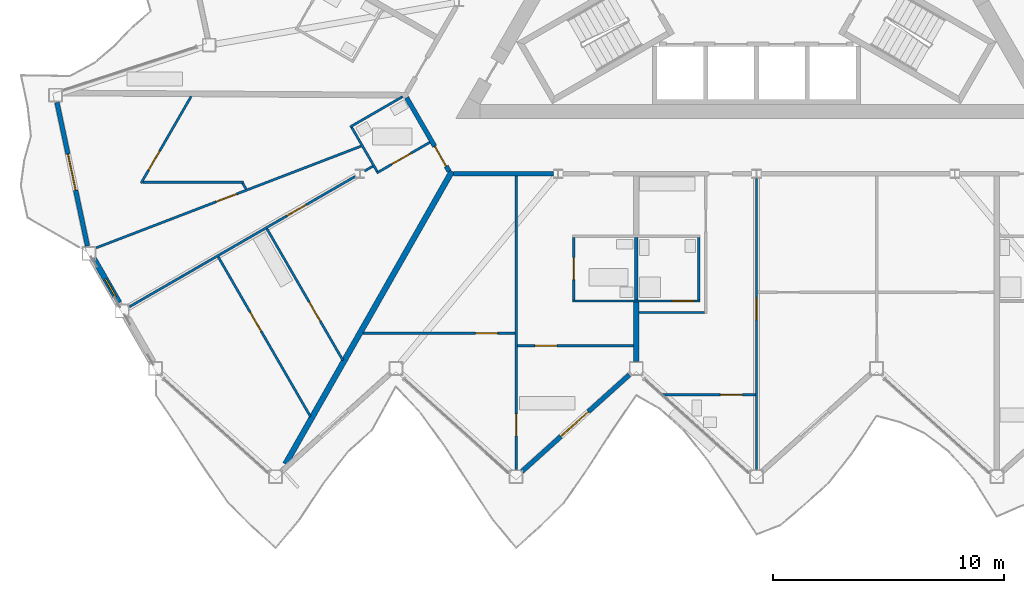
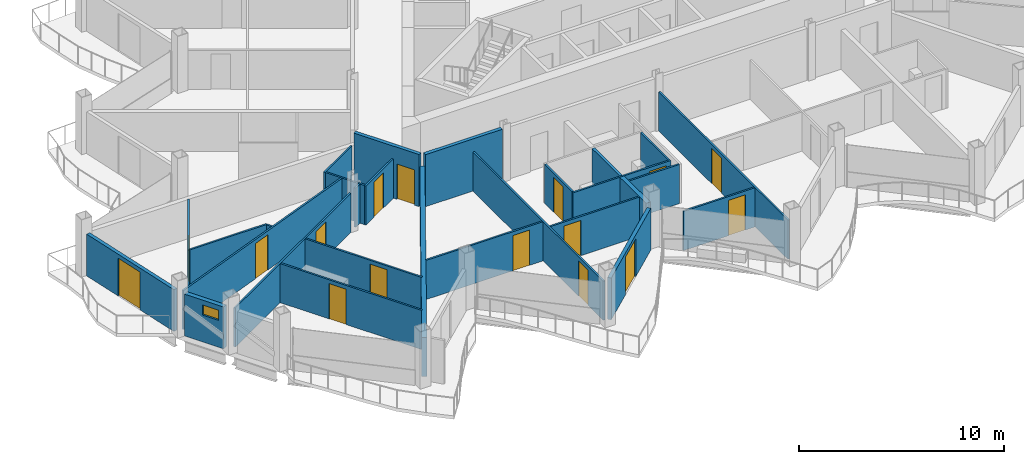
# One storey, part 12 of 26: 28 walls, 16 doors, 1 window, 17 openings.
"""IFC4 building model written with IfcOpenShell, lengths in metres."""

import ifcopenshell
import ifcopenshell.guid

model = None  # the IFC model being written
_history = None  # IfcOwnerHistory: only IFC2X3 demands one
_inside = {}  # id of a spatial element -> (the spatial element, [elements in it])
_under = {}  # id of a project, library or spatial element -> (it, [spatial elements below it])
_declared = {}  # id of a project -> (the project, [libraries it declares])
_typed = {}  # id of a type object -> (the type object, [elements of that type])
_made_of = {}  # id of a material, layer set ... -> (it, [elements and type objects made of it])


def new_model(schema):
    """Start an empty IFC model of exactly this schema.

    Asked for "IFC4X3", IfcOpenShell would pick the latest addendum, in which some entities
    have other attributes; the version numbers below select the first issue.
    IFC2X3 requires an IfcOwnerHistory on every rooted entity: one is made here for all.
    """
    global model, _history
    if schema == "IFC4X3":
        model = ifcopenshell.file(schema_version=(4, 3, 0, 0))
    else:
        model = ifcopenshell.file(schema=schema)
    _inside.clear()
    _under.clear()
    _declared.clear()
    _typed.clear()
    _made_of.clear()
    _history = None
    if model.schema == "IFC2X3":
        org = make("IfcOrganization", Name="unknown")
        user = make(
            "IfcPersonAndOrganization",
            ThePerson=make("IfcPerson", FamilyName="unknown"),
            TheOrganization=org,
        )
        app = make(
            "IfcApplication",
            ApplicationDeveloper=org,
            Version="unknown",
            ApplicationFullName="unknown",
            ApplicationIdentifier="unknown",
        )
        _history = make(
            "IfcOwnerHistory",
            OwningUser=user,
            OwningApplication=app,
            ChangeAction="ADDED",
            CreationDate=0,
        )
    return model


def make(cls, **values):
    """One entity of the class cls with the attributes given. An attribute that is None is left unset."""
    return model.create_entity(
        cls, **{name: value for name, value in values.items() if value is not None}
    )


def rooted(cls, **values):
    """An entity with a GlobalId (a new one), such as an element, a storey or a relation."""
    return make(cls, GlobalId=ifcopenshell.guid.new(), OwnerHistory=_history, **values)


def si_unit(unit_type, name, prefix=None):
    """IfcSIUnit, for example si_unit("LENGTHUNIT", "METRE", prefix="MILLI")."""
    return make("IfcSIUnit", UnitType=unit_type, Prefix=prefix, Name=name)


def assignment(units):
    """IfcUnitAssignment: the units of a project."""
    return None if units is None else make("IfcUnitAssignment", Units=units)


def point(xyz):
    """IfcCartesianPoint."""
    return None if xyz is None else make("IfcCartesianPoint", Coordinates=xyz)


def direction(xyz):
    """IfcDirection."""
    return None if xyz is None else make("IfcDirection", DirectionRatios=xyz)


def frame(location, z_axis=None, x_axis=None):
    """IfcAxis2Placement3D, a coordinate frame: its origin and axes. An axis left out is left unset."""
    return make(
        "IfcAxis2Placement3D",
        Location=point(location),
        Axis=direction(z_axis),
        RefDirection=direction(x_axis),
    )


def frame_2d(location, x_axis=None):
    """IfcAxis2Placement2D, a coordinate frame in the plane: its origin and x axis."""
    return make(
        "IfcAxis2Placement2D", Location=point(location), RefDirection=direction(x_axis)
    )


def origin():
    """The frame at (0, 0, 0) with its axes left unset."""
    return frame((0.0, 0.0, 0.0))


def place(relative_to, where):
    """IfcLocalPlacement: puts the frame where relative to a parent placement (None: the world)."""
    return make(
        "IfcLocalPlacement", PlacementRelTo=relative_to, RelativePlacement=where
    )


def context(
    kind, dimensions, precision=None, world=None, true_north=None, identifier=None
):
    """IfcGeometricRepresentationContext, for example the 3D "Model" context."""
    return make(
        "IfcGeometricRepresentationContext",
        ContextIdentifier=identifier,
        ContextType=kind,
        CoordinateSpaceDimension=dimensions,
        Precision=precision,
        WorldCoordinateSystem=world,
        TrueNorth=true_north,
    )


def subcontext(parent, identifier, kind, view, scale=None):
    """IfcGeometricRepresentationSubContext, for example "Body" below "Model"."""
    return make(
        "IfcGeometricRepresentationSubContext",
        ContextIdentifier=identifier,
        ContextType=kind,
        ParentContext=parent,
        TargetScale=scale,
        TargetView=view,
    )


def project(units=None, contexts=None):
    """IfcProject with its units and contexts."""
    return rooted(
        "IfcProject",
        Name="project",
        RepresentationContexts=contexts,
        UnitsInContext=assignment(units),
    )


def spatial(cls, under=None, at=None, **own):
    """A site, building, storey or space (cls), placed at a placement, below another one or the project."""
    s = rooted(cls, ObjectPlacement=at, **own)
    if under is not None:
        _under.setdefault(under.id(), (under, []))[1].append(s)
    return s


def profile(cls, at=None, kind="AREA", **sizes):
    """A parametric profile (cls). Its sizes go by their IFC names, for example OverallWidth=200.0."""
    return make(cls, ProfileType=kind, Position=at, **sizes)


def rectangle(**sizes):
    """IfcRectangleProfileDef."""
    return profile("IfcRectangleProfileDef", **sizes)


def extrude(swept, where, along, depth):
    """IfcExtrudedAreaSolid: the profile swept, set in the frame where, extruded along a direction by depth."""
    return make(
        "IfcExtrudedAreaSolid",
        SweptArea=swept,
        Position=where,
        ExtrudedDirection=direction(along),
        Depth=depth,
    )


def shape(context_of_items, identifier, shape_type, items):
    """IfcShapeRepresentation: the items that make up one representation, for example the "Body"."""
    return make(
        "IfcShapeRepresentation",
        ContextOfItems=context_of_items,
        RepresentationIdentifier=identifier,
        RepresentationType=shape_type,
        Items=items,
    )


def material(Name=None, Category=None):
    """IfcMaterial."""
    return make("IfcMaterial", Name=Name, Category=Category)


def layer(
    of_material, thickness, ventilated=None, Name=None, Category=None, Priority=None
):
    """IfcMaterialLayer: one layer of a wall or slab, of a material (None: an air gap)."""
    return make(
        "IfcMaterialLayer",
        Material=of_material,
        LayerThickness=thickness,
        IsVentilated=ventilated,
        Name=Name,
        Category=Category,
        Priority=Priority,
    )


def layer_set(layers, Name=None):
    """IfcMaterialLayerSet."""
    return make("IfcMaterialLayerSet", MaterialLayers=layers, LayerSetName=Name)


def made_of(thing, what):
    """Note that an element or type object is made of a material, layer set ...; save() writes the relation."""
    if what is not None:
        _made_of.setdefault(what.id(), (what, []))[1].append(thing)
    return thing


def type_object(cls, material=None, **own):
    """A type object (cls), such as IfcWallType, which elements share."""
    return made_of(rooted(cls, **own), material)


def element(
    cls,
    number,
    at=None,
    inside=None,
    cuts=None,
    type_object=None,
    material=None,
    context=None,
    identifier="Body",
    shape_type=None,
    held_by="IfcProductDefinitionShape",
    body=None,
    shapes=None,
    **own,
):
    """One element of the class cls, such as IfcWall. Its Tag is "e" and its number.

    at: its placement. inside: the storey or other place that contains it. cuts: it is an
    opening in that element (IfcRelVoidsElement). A single representation is given by context,
    identifier, shape_type and body (its items); several are given by shapes. held_by: the class
    of the entity that holds the representations. save() writes the other relations.
    """
    e = rooted(cls, Tag="e%d" % number, ObjectPlacement=at, **own)
    if body is not None:
        shapes = [shape(context, identifier, shape_type, body)]
    if shapes is not None:
        e.Representation = make(held_by, Representations=shapes)
    if inside is not None:
        _inside.setdefault(inside.id(), (inside, []))[1].append(e)
    if cuts is not None:
        rooted(
            "IfcRelVoidsElement", RelatingBuildingElement=cuts, RelatedOpeningElement=e
        )
    if type_object is not None:
        _typed.setdefault(type_object.id(), (type_object, []))[1].append(e)
    return made_of(e, material)


def fill(opening, filler):
    """IfcRelFillsElement: the door or window that sits in an opening."""
    return rooted(
        "IfcRelFillsElement",
        RelatingOpeningElement=opening,
        RelatedBuildingElement=filler,
    )


def aggregate(whole, parts):
    """IfcRelAggregates: a whole, such as a stair, and the parts it consists of."""
    return rooted("IfcRelAggregates", RelatingObject=whole, RelatedObjects=parts)


def save(model, path):
    """Write the relations noted so far, then the file.

    IfcRelAggregates (storeys below a building ...), IfcRelContainedInSpatialStructure (elements
    in a storey), IfcRelDefinesByType, IfcRelAssociatesMaterial and IfcRelDeclares: one each for
    every whole, place, type object, material and project.
    """
    for whole, parts in _under.values():
        aggregate(whole, parts)
    for where, things in _inside.values():
        rooted(
            "IfcRelContainedInSpatialStructure",
            RelatedElements=things,
            RelatingStructure=where,
        )
    for kind, things in _typed.values():
        rooted("IfcRelDefinesByType", RelatedObjects=things, RelatingType=kind)
    for what, things in _made_of.values():
        rooted("IfcRelAssociatesMaterial", RelatedObjects=things, RelatingMaterial=what)
    for by, libraries in _declared.values():
        rooted("IfcRelDeclares", RelatingContext=by, RelatedDefinitions=libraries)
    model.write(path)


model = new_model("IFC4")

# Units and contexts
model_context = context("Model", 3, precision=1e-05, world=origin(), true_north=direction((0.0, 1.0)))
body_context = subcontext(model_context, "Body", "Model", "MODEL_VIEW")
ifc_project = project(units=[si_unit("LENGTHUNIT", "METRE"), si_unit("AREAUNIT", "SQUARE_METRE"), si_unit("VOLUMEUNIT", "CUBIC_METRE"), si_unit("PLANEANGLEUNIT", "RADIAN"), si_unit("MASSUNIT", "GRAM", prefix="KILO")], contexts=[model_context])

# Site, building, storey
site_placement = place(None, origin())
site = spatial("IfcSite", under=ifc_project, at=site_placement, CompositionType="ELEMENT")
building_placement = place(site_placement, origin())
building = spatial("IfcBuilding", under=site, at=building_placement, Name="Cormorant Prow Tower", CompositionType="ELEMENT")
storey_placement = place(building_placement, frame((0.0, 0.0, 339.199951171875)))
storey = spatial("IfcBuildingStorey", under=building, at=storey_placement, Name="L76", CompositionType="ELEMENT", Elevation=339.199951171875)

# Wall
ifc_material_1 = material(Name="Gypsum board corridor wall")
ifc_layer_1 = layer(ifc_material_1, 0.199951171875)
ifc_layer_set_1 = layer_set([ifc_layer_1], Name="Gypsum board corridor wall")
wall_type_1 = type_object("IfcWallType", Name="Corridor wall 200", PredefinedType="PARTITIONING", material=ifc_layer_set_1)
wall_1_placement = place(storey_placement, frame((-13.10595703125, -9.905517578125, 0.0), z_axis=(0.0, 0.0, 1.0), x_axis=(1.0, 0.0, 0.0)))
element("IfcWall", 1, at=wall_1_placement, inside=storey, type_object=wall_type_1, Name="Corridor wall", PredefinedType="PARTITIONING", context=body_context, shape_type="SweptSolid", body=[
    extrude(rectangle(XDim=4.31982421875, YDim=0.199951171875, at=frame_2d((2.159912109375, 0.0))), origin(), (0.0, 0.0, 1.0), 3.10009765625),
])

# Wall, opening, door
wall_2_placement = place(storey_placement, frame((-15.13134765625, -6.61376953125, 0.0), z_axis=(0.0, 0.0, 1.0), x_axis=(0.499967746641, -0.866044024469, 0.0)))
wall_2 = element("IfcWall", 2, at=wall_2_placement, inside=storey, type_object=wall_type_1, Name="Corridor wall", PredefinedType="PARTITIONING", context=body_context, shape_type="SweptSolid", body=[
    extrude(rectangle(XDim=3.676025390625, YDim=0.199951171875, at=frame_2d((1.837890625, 0.0))), origin(), (0.0, 0.0, 1.0), 3.10009765625),
])
opening_1_placement = place(wall_2_placement, frame((2.426025390625, 0.0, 0.0)))
opening_1 = element("IfcOpeningElement", 3, at=opening_1_placement, cuts=wall_2, Name="Opening L76-F54", PredefinedType="OPENING", context=body_context, shape_type="SweptSolid", body=[
    extrude(rectangle(XDim=1.0, YDim=2.10009765625, at=frame_2d((0.5, 1.050048828125))), frame((0.0, 0.10986328125, 0.0), z_axis=(0.0, -1.0, 0.0), x_axis=(1.0, 0.0, 0.0)), (0.0, 0.0, 1.0), 0.219970703125),
])
ifc_material_2 = material(Name="Timber door leaf", Category="wood")
door_type_1 = type_object("IfcDoorType", Name="Flat or room entrance door 1000x2100", OperationType="NOTDEFINED", PredefinedType="DOOR", material=ifc_material_2)
door_1_placement = place(opening_1_placement, origin())
door_1 = element("IfcDoor", 4, at=door_1_placement, inside=storey, type_object=door_type_1, Name="Living room door", OperationType="SINGLE_SWING_RIGHT", OverallHeight=2.10009765625, OverallWidth=1.0, PredefinedType="DOOR", context=body_context, shape_type="SweptSolid", body=[
    extrude(rectangle(XDim=1.0, YDim=2.10009765625, at=frame_2d((0.5, 1.050048828125))), frame((0.0, 0.02490234375, 0.0), z_axis=(0.0, -1.0, 0.0), x_axis=(1.0, 0.0, 0.0)), (0.0, 0.0, 1.0), 0.050048828125),
])
fill(opening_1, door_1)

ifc_material_3 = material(Name="Gypsum board partition")
ifc_layer_2 = layer(ifc_material_3, 0.10009765625)
ifc_layer_set_2 = layer_set([ifc_layer_2], Name="Gypsum board partition")
wall_type_2 = type_object("IfcWallType", Name="Internal partition 100", PredefinedType="PARTITIONING", material=ifc_layer_set_2)
wall_3_placement = place(storey_placement, frame((-10.39501953125, -22.697998046875, 0.0), z_axis=(0.0, 0.0, 1.0), x_axis=(0.0, 1.0, 0.0)))
wall_3 = element("IfcWall", 5, at=wall_3_placement, inside=storey, type_object=wall_type_2, Name="Internal partition", PredefinedType="PARTITIONING", context=body_context, shape_type="SweptSolid", body=[
    extrude(rectangle(XDim=12.6923828125, YDim=0.10009765625, at=frame_2d((6.34619140625, 0.0))), origin(), (0.0, 0.0, 1.0), 2.330078125),
])
opening_2_placement = place(wall_3_placement, frame((1.45458984375, 0.0, 0.0)))
opening_2 = element("IfcOpeningElement", 6, at=opening_2_placement, cuts=wall_3, Name="Opening L76-F04", PredefinedType="OPENING", context=body_context, shape_type="SweptSolid", body=[
    extrude(rectangle(XDim=0.949951171875, YDim=2.10009765625, at=frame_2d((0.47509765625, 1.050048828125))), frame((0.0, 0.06005859375, 0.0), z_axis=(0.0, -1.0, 0.0), x_axis=(1.0, 0.0, 0.0)), (0.0, 0.0, 1.0), 0.1201171875),
])
ifc_material_4 = material(Name="Timber door leaf", Category="wood")
door_type_2 = type_object("IfcDoorType", Name="Bathroom door 950x2100", OperationType="NOTDEFINED", PredefinedType="DOOR", material=ifc_material_4)
door_2_placement = place(opening_2_placement, origin())
door_2 = element("IfcDoor", 7, at=door_2_placement, inside=storey, type_object=door_type_2, Name="Kitchen door", OperationType="SINGLE_SWING_RIGHT", OverallHeight=2.10009765625, OverallWidth=0.949951171875, PredefinedType="DOOR", context=body_context, shape_type="SweptSolid", body=[
    extrude(rectangle(XDim=0.949951171875, YDim=2.10009765625, at=frame_2d((0.47509765625, 1.050048828125))), frame((0.0, 0.02490234375, 0.0), z_axis=(0.0, -1.0, 0.0), x_axis=(1.0, 0.0, 0.0)), (0.0, 0.0, 1.0), 0.050048828125),
])
fill(opening_2, door_2)

wall_4_placement = place(storey_placement, frame((0.0, -22.697998046875, 0.0), z_axis=(0.0, 0.0, 1.0), x_axis=(0.0, 1.0, 0.0)))
wall_4 = element("IfcWall", 8, at=wall_4_placement, inside=storey, type_object=wall_type_2, Name="Internal partition", PredefinedType="PARTITIONING", context=body_context, shape_type="SweptSolid", body=[
    extrude(rectangle(XDim=12.584716796875, YDim=0.10009765625, at=frame_2d((6.29248046875, 0.0))), origin(), (0.0, 0.0, 1.0), 2.330078125),
])
opening_3_placement = place(wall_4_placement, frame((6.469482421875, 0.0, 0.0)))
opening_3 = element("IfcOpeningElement", 9, at=opening_3_placement, cuts=wall_4, Name="Opening L76-F09", PredefinedType="OPENING", context=body_context, shape_type="SweptSolid", body=[
    extrude(rectangle(XDim=0.949951171875, YDim=2.10009765625, at=frame_2d((0.47509765625, 1.050048828125))), frame((0.0, 0.06005859375, 0.0), z_axis=(0.0, -1.0, 0.0), x_axis=(1.0, 0.0, 0.0)), (0.0, 0.0, 1.0), 0.1201171875),
])
door_3_placement = place(opening_3_placement, origin())
door_3 = element("IfcDoor", 10, at=door_3_placement, inside=storey, type_object=door_type_2, Name="Living room door", OperationType="SINGLE_SWING_RIGHT", OverallHeight=2.10009765625, OverallWidth=0.949951171875, PredefinedType="DOOR", context=body_context, shape_type="SweptSolid", body=[
    extrude(rectangle(XDim=0.949951171875, YDim=2.10009765625, at=frame_2d((0.47509765625, 1.050048828125))), frame((0.0, 0.02490234375, 0.0), z_axis=(0.0, -1.0, 0.0), x_axis=(1.0, 0.0, 0.0)), (0.0, 0.0, 1.0), 0.050048828125),
])
fill(opening_3, door_3)

wall_5_placement = place(storey_placement, frame((-28.55908203125, -13.109619140625, 0.0), z_axis=(0.0, 0.0, 1.0), x_axis=(0.933581651686, 0.358364757802, 0.0)))
wall_5 = element("IfcWall", 11, at=wall_5_placement, inside=storey, type_object=wall_type_2, Name="Internal partition", PredefinedType="PARTITIONING", context=body_context, shape_type="SweptSolid", body=[
    extrude(rectangle(XDim=12.2783203125, YDim=0.10009765625, at=frame_2d((6.13916015625, 0.0))), origin(), (0.0, 0.0, 1.0), 2.330078125),
])
opening_4_placement = place(wall_5_placement, frame((5.56396484375, 0.0, 0.0)))
opening_4 = element("IfcOpeningElement", 12, at=opening_4_placement, cuts=wall_5, Name="Opening L76-F59", PredefinedType="OPENING", context=body_context, shape_type="SweptSolid", body=[
    extrude(rectangle(XDim=0.949951171875, YDim=2.10009765625, at=frame_2d((0.47509765625, 1.050048828125))), frame((0.0, 0.06005859375, 0.0), z_axis=(0.0, -1.0, 0.0), x_axis=(1.0, 0.0, 0.0)), (0.0, 0.0, 1.0), 0.1201171875),
])
door_4_placement = place(opening_4_placement, origin())
door_4 = element("IfcDoor", 13, at=door_4_placement, inside=storey, type_object=door_type_2, Name="Bedroom door", OperationType="SINGLE_SWING_RIGHT", OverallHeight=2.10009765625, OverallWidth=0.949951171875, PredefinedType="DOOR", context=body_context, shape_type="SweptSolid", body=[
    extrude(rectangle(XDim=0.949951171875, YDim=2.10009765625, at=frame_2d((0.47509765625, 1.050048828125))), frame((0.0, 0.02490234375, 0.0), z_axis=(0.0, -1.0, 0.0), x_axis=(1.0, 0.0, 0.0)), (0.0, 0.0, 1.0), 0.050048828125),
])
fill(opening_4, door_4)

wall_6_placement = place(storey_placement, frame((-27.122314453125, -15.6591796875, 0.0), z_axis=(0.0, 0.0, 1.0), x_axis=(0.866021046153, 0.500007547564, 0.0)))
wall_6 = element("IfcWall", 14, at=wall_6_placement, inside=storey, type_object=wall_type_2, Name="Internal partition", PredefinedType="PARTITIONING", context=body_context, shape_type="SweptSolid", body=[
    extrude(rectangle(XDim=11.267333984375, YDim=0.10009765625, at=frame_2d((5.6337890625, 0.0))), origin(), (0.0, 0.0, 1.0), 2.330078125),
])
opening_5_placement = place(wall_6_placement, frame((7.86328125, 0.0, 0.0)))
opening_5 = element("IfcOpeningElement", 15, at=opening_5_placement, cuts=wall_6, Name="Opening L76-F58", PredefinedType="OPENING", context=body_context, shape_type="SweptSolid", body=[
    extrude(rectangle(XDim=0.949951171875, YDim=2.10009765625, at=frame_2d((0.47509765625, 1.050048828125))), frame((0.0, 0.06005859375, 0.0), z_axis=(0.0, -1.0, 0.0), x_axis=(1.0, 0.0, 0.0)), (0.0, 0.0, 1.0), 0.1201171875),
])
door_5_placement = place(opening_5_placement, origin())
door_5 = element("IfcDoor", 16, at=door_5_placement, inside=storey, type_object=door_type_2, Name="Living room door", OperationType="SINGLE_SWING_LEFT", OverallHeight=2.10009765625, OverallWidth=0.949951171875, PredefinedType="DOOR", context=body_context, shape_type="SweptSolid", body=[
    extrude(rectangle(XDim=0.949951171875, YDim=2.10009765625, at=frame_2d((0.47509765625, 1.050048828125))), frame((0.0, 0.02490234375, 0.0), z_axis=(0.0, -1.0, 0.0), x_axis=(1.0, 0.0, 0.0)), (0.0, 0.0, 1.0), 0.050048828125),
])
fill(opening_5, door_5)

wall_7_placement = place(storey_placement, frame((-23.28076171875, -13.498779296875, 0.0), z_axis=(0.0, 0.0, 1.0), x_axis=(0.499994510044, -0.866028573389, 0.0)))
wall_7 = element("IfcWall", 17, at=wall_7_placement, inside=storey, type_object=wall_type_2, Name="Internal partition", PredefinedType="PARTITIONING", context=body_context, shape_type="SweptSolid", body=[
    extrude(rectangle(XDim=7.97509765625, YDim=0.10009765625, at=frame_2d((3.987548828125, 0.0))), origin(), (0.0, 0.0, 1.0), 2.330078125),
])
opening_6_placement = place(wall_7_placement, frame((2.759765625, 0.0, 0.0)))
opening_6 = element("IfcOpeningElement", 18, at=opening_6_placement, cuts=wall_7, Name="Opening L76-F57", PredefinedType="OPENING", context=body_context, shape_type="SweptSolid", body=[
    extrude(rectangle(XDim=0.949951171875, YDim=2.10009765625, at=frame_2d((0.47509765625, 1.050048828125))), frame((0.0, 0.06005859375, 0.0), z_axis=(0.0, -1.0, 0.0), x_axis=(1.0, 0.0, 0.0)), (0.0, 0.0, 1.0), 0.1201171875),
])
door_6_placement = place(opening_6_placement, origin())
door_6 = element("IfcDoor", 19, at=door_6_placement, inside=storey, type_object=door_type_2, Name="Kitchen door", OperationType="SINGLE_SWING_LEFT", OverallHeight=2.10009765625, OverallWidth=0.949951171875, PredefinedType="DOOR", context=body_context, shape_type="SweptSolid", body=[
    extrude(rectangle(XDim=0.949951171875, YDim=2.10009765625, at=frame_2d((0.47509765625, 1.050048828125))), frame((0.0, 0.02490234375, 0.0), z_axis=(0.0, -1.0, 0.0), x_axis=(1.0, 0.0, 0.0)), (0.0, 0.0, 1.0), 0.050048828125),
])
fill(opening_6, door_6)

wall_8_placement = place(storey_placement, frame((-17.028076171875, -16.801025390625, 0.0), z_axis=(0.0, 0.0, 1.0), x_axis=(1.0, 0.0, 0.0)))
wall_8 = element("IfcWall", 20, at=wall_8_placement, inside=storey, type_object=wall_type_2, Name="Internal partition", PredefinedType="PARTITIONING", context=body_context, shape_type="SweptSolid", body=[
    extrude(rectangle(XDim=6.5830078125, YDim=0.10009765625, at=frame_2d((3.29150390625, 0.0))), origin(), (0.0, 0.0, 1.0), 2.330078125),
])
opening_7_placement = place(wall_8_placement, frame((4.879638671875, 0.0, 0.0)))
opening_7 = element("IfcOpeningElement", 21, at=opening_7_placement, cuts=wall_8, Name="Opening L76-F05", PredefinedType="OPENING", context=body_context, shape_type="SweptSolid", body=[
    extrude(rectangle(XDim=0.949951171875, YDim=2.10009765625, at=frame_2d((0.47509765625, 1.050048828125))), frame((0.0, 0.06005859375, 0.0), z_axis=(0.0, -1.0, 0.0), x_axis=(1.0, 0.0, 0.0)), (0.0, 0.0, 1.0), 0.1201171875),
])
door_7_placement = place(opening_7_placement, origin())
door_7 = element("IfcDoor", 22, at=door_7_placement, inside=storey, type_object=door_type_2, Name="Bedroom door", OperationType="SINGLE_SWING_RIGHT", OverallHeight=2.10009765625, OverallWidth=0.949951171875, PredefinedType="DOOR", context=body_context, shape_type="SweptSolid", body=[
    extrude(rectangle(XDim=0.949951171875, YDim=2.10009765625, at=frame_2d((0.47509765625, 1.050048828125))), frame((0.0, 0.02490234375, 0.0), z_axis=(0.0, -1.0, 0.0), x_axis=(1.0, 0.0, 0.0)), (0.0, 0.0, 1.0), 0.050048828125),
])
fill(opening_7, door_7)

wall_9_placement = place(storey_placement, frame((-21.175048828125, -12.283203125, 0.0), z_axis=(0.0, 0.0, 1.0), x_axis=(0.49999903102, -0.866025963225, 0.0)))
wall_9 = element("IfcWall", 23, at=wall_9_placement, inside=storey, type_object=wall_type_2, Name="Internal partition", PredefinedType="PARTITIONING", context=body_context, shape_type="SweptSolid", body=[
    extrude(rectangle(XDim=6.5712890625, YDim=0.10009765625, at=frame_2d((3.28564453125, 0.0))), origin(), (0.0, 0.0, 1.0), 2.330078125),
])
opening_8_placement = place(wall_9_placement, frame((3.664306640625, 0.0, 0.0)))
opening_8 = element("IfcOpeningElement", 24, at=opening_8_placement, cuts=wall_9, Name="Opening L76-F56", PredefinedType="OPENING", context=body_context, shape_type="SweptSolid", body=[
    extrude(rectangle(XDim=0.949951171875, YDim=2.10009765625, at=frame_2d((0.47509765625, 1.050048828125))), frame((0.0, 0.06005859375, 0.0), z_axis=(0.0, -1.0, 0.0), x_axis=(1.0, 0.0, 0.0)), (0.0, 0.0, 1.0), 0.1201171875),
])
door_8_placement = place(opening_8_placement, origin())
door_8 = element("IfcDoor", 25, at=door_8_placement, inside=storey, type_object=door_type_2, Name="Living room door", OperationType="SINGLE_SWING_LEFT", OverallHeight=2.10009765625, OverallWidth=0.949951171875, PredefinedType="DOOR", context=body_context, shape_type="SweptSolid", body=[
    extrude(rectangle(XDim=0.949951171875, YDim=2.10009765625, at=frame_2d((0.47509765625, 1.050048828125))), frame((0.0, 0.02490234375, 0.0), z_axis=(0.0, -1.0, 0.0), x_axis=(1.0, 0.0, 0.0)), (0.0, 0.0, 1.0), 0.050048828125),
])
fill(opening_8, door_8)

wall_10_placement = place(storey_placement, frame((-7.947509765625, -15.405517578125, 0.0), z_axis=(0.0, 0.0, 1.0), x_axis=(1.0, 0.0, 0.0)))
wall_10 = element("IfcWall", 26, at=wall_10_placement, inside=storey, type_object=wall_type_2, Name="Internal partition", PredefinedType="PARTITIONING", context=body_context, shape_type="SweptSolid", body=[
    extrude(rectangle(XDim=5.5, YDim=0.10009765625, at=frame_2d((2.75, 0.0))), origin(), (0.0, 0.0, 1.0), 2.330078125),
])
opening_9_placement = place(wall_10_placement, frame((4.300048828125, 0.0, 0.0)))
opening_9 = element("IfcOpeningElement", 27, at=opening_9_placement, cuts=wall_10, Name="Opening L76-F13", PredefinedType="OPENING", context=body_context, shape_type="SweptSolid", body=[
    extrude(rectangle(XDim=0.949951171875, YDim=2.10009765625, at=frame_2d((0.47509765625, 1.050048828125))), frame((0.0, 0.06005859375, 0.0), z_axis=(0.0, -1.0, 0.0), x_axis=(1.0, 0.0, 0.0)), (0.0, 0.0, 1.0), 0.1201171875),
])
door_9_placement = place(opening_9_placement, origin())
door_9 = element("IfcDoor", 28, at=door_9_placement, inside=storey, type_object=door_type_2, Name="Kitchen door", OperationType="SINGLE_SWING_RIGHT", OverallHeight=2.10009765625, OverallWidth=0.949951171875, PredefinedType="DOOR", context=body_context, shape_type="SweptSolid", body=[
    extrude(rectangle(XDim=0.949951171875, YDim=2.10009765625, at=frame_2d((0.47509765625, 1.050048828125))), frame((0.0, 0.02490234375, 0.0), z_axis=(0.0, -1.0, 0.0), x_axis=(1.0, 0.0, 0.0)), (0.0, 0.0, 1.0), 0.050048828125),
])
fill(opening_9, door_9)

wall_11_placement = place(storey_placement, frame((-10.34521484375, -17.34228515625, 0.0), z_axis=(0.0, 0.0, 1.0), x_axis=(1.0, 0.0, 0.0)))
wall_11 = element("IfcWall", 29, at=wall_11_placement, inside=storey, type_object=wall_type_2, Name="Internal partition", PredefinedType="PARTITIONING", context=body_context, shape_type="SweptSolid", body=[
    extrude(rectangle(XDim=5.022705078125, YDim=0.10009765625, at=frame_2d((2.51123046875, 0.0))), origin(), (0.0, 0.0, 1.0), 2.330078125),
])
opening_10_placement = place(wall_11_placement, frame((0.76025390625, 0.0, 0.0)))
opening_10 = element("IfcOpeningElement", 30, at=opening_10_placement, cuts=wall_11, Name="Opening L76-F03", PredefinedType="OPENING", context=body_context, shape_type="SweptSolid", body=[
    extrude(rectangle(XDim=0.949951171875, YDim=2.10009765625, at=frame_2d((0.47509765625, 1.050048828125))), frame((0.0, 0.06005859375, 0.0), z_axis=(0.0, -1.0, 0.0), x_axis=(1.0, 0.0, 0.0)), (0.0, 0.0, 1.0), 0.1201171875),
])
door_10_placement = place(opening_10_placement, origin())
door_10 = element("IfcDoor", 31, at=door_10_placement, inside=storey, type_object=door_type_2, Name="Living room door", OperationType="SINGLE_SWING_LEFT", OverallHeight=2.10009765625, OverallWidth=0.949951171875, PredefinedType="DOOR", context=body_context, shape_type="SweptSolid", body=[
    extrude(rectangle(XDim=0.949951171875, YDim=2.10009765625, at=frame_2d((0.47509765625, 1.050048828125))), frame((0.0, 0.02490234375, 0.0), z_axis=(0.0, -1.0, 0.0), x_axis=(1.0, 0.0, 0.0)), (0.0, 0.0, 1.0), 0.050048828125),
])
fill(opening_10, door_10)

wall_12_placement = place(storey_placement, frame((-26.618896484375, -10.3125, 0.0), z_axis=(0.0, 0.0, 1.0), x_axis=(0.500060114735, 0.865990693744, 0.0)))
wall_12 = element("IfcWall", 32, at=wall_12_placement, inside=storey, type_object=wall_type_2, Name="Internal partition", PredefinedType="PARTITIONING", context=body_context, shape_type="SweptSolid", body=[
    extrude(rectangle(XDim=4.33935546875, YDim=0.10009765625, at=frame_2d((2.169677734375, 0.0))), origin(), (0.0, 0.0, 1.0), 2.330078125),
])
opening_11_placement = place(wall_12_placement, frame((0.662841796875, 0.0, 0.0)))
opening_11 = element("IfcOpeningElement", 33, at=opening_11_placement, cuts=wall_12, Name="Opening L76-F60", PredefinedType="OPENING", context=body_context, shape_type="SweptSolid", body=[
    extrude(rectangle(XDim=0.949951171875, YDim=2.10009765625, at=frame_2d((0.47509765625, 1.050048828125))), frame((0.0, 0.06005859375, 0.0), z_axis=(0.0, -1.0, 0.0), x_axis=(1.0, 0.0, 0.0)), (0.0, 0.0, 1.0), 0.1201171875),
])
door_11_placement = place(opening_11_placement, origin())
door_11 = element("IfcDoor", 34, at=door_11_placement, inside=storey, type_object=door_type_2, Name="Bedroom door", OperationType="SINGLE_SWING_LEFT", OverallHeight=2.10009765625, OverallWidth=0.949951171875, PredefinedType="DOOR", context=body_context, shape_type="SweptSolid", body=[
    extrude(rectangle(XDim=0.949951171875, YDim=2.10009765625, at=frame_2d((0.47509765625, 1.050048828125))), frame((0.0, 0.02490234375, 0.0), z_axis=(0.0, -1.0, 0.0), x_axis=(1.0, 0.0, 0.0)), (0.0, 0.0, 1.0), 0.050048828125),
])
fill(opening_11, door_11)

# Wall
wall_13_placement = place(storey_placement, frame((-26.543701171875, -10.269287109375, 0.0), z_axis=(0.0, 0.0, 1.0), x_axis=(1.0, 0.0, 0.0)))
element("IfcWall", 35, at=wall_13_placement, inside=storey, type_object=wall_type_2, Name="Internal partition", PredefinedType="PARTITIONING", context=body_context, shape_type="SweptSolid", body=[
    extrude(rectangle(XDim=4.345947265625, YDim=0.10009765625, at=frame_2d((2.1728515625, 0.0))), origin(), (0.0, 0.0, 1.0), 2.330078125),
])

# Wall, opening, door
wall_14_placement = place(storey_placement, frame((-4.08154296875, -19.47021484375, 0.0), z_axis=(0.0, 0.0, 1.0), x_axis=(1.0, 0.0, 0.0)))
wall_14 = element("IfcWall", 36, at=wall_14_placement, inside=storey, type_object=wall_type_2, Name="Internal partition", PredefinedType="PARTITIONING", context=body_context, shape_type="SweptSolid", body=[
    extrude(rectangle(XDim=4.031494140625, YDim=0.10009765625, at=frame_2d((2.015625, 0.0))), origin(), (0.0, 0.0, 1.0), 2.330078125),
])
opening_12_placement = place(wall_14_placement, frame((2.521728515625, 0.0, 0.0)))
opening_12 = element("IfcOpeningElement", 37, at=opening_12_placement, cuts=wall_14, Name="Opening L76-F07", PredefinedType="OPENING", context=body_context, shape_type="SweptSolid", body=[
    extrude(rectangle(XDim=0.949951171875, YDim=2.10009765625, at=frame_2d((0.47509765625, 1.050048828125))), frame((0.0, 0.06005859375, 0.0), z_axis=(0.0, -1.0, 0.0), x_axis=(1.0, 0.0, 0.0)), (0.0, 0.0, 1.0), 0.1201171875),
])
door_12_placement = place(opening_12_placement, origin())
door_12 = element("IfcDoor", 38, at=door_12_placement, inside=storey, type_object=door_type_2, Name="Living room door", OperationType="SINGLE_SWING_RIGHT", OverallHeight=2.10009765625, OverallWidth=0.949951171875, PredefinedType="DOOR", context=body_context, shape_type="SweptSolid", body=[
    extrude(rectangle(XDim=0.949951171875, YDim=2.10009765625, at=frame_2d((0.47509765625, 1.050048828125))), frame((0.0, 0.02490234375, 0.0), z_axis=(0.0, -1.0, 0.0), x_axis=(1.0, 0.0, 0.0)), (0.0, 0.0, 1.0), 0.050048828125),
])
fill(opening_12, door_12)

# Wall
wall_15_placement = place(storey_placement, frame((-5.072509765625, -15.905517578125, 0.0), z_axis=(0.0, 0.0, 1.0), x_axis=(1.0, 0.0, 0.0)))
element("IfcWall", 39, at=wall_15_placement, inside=storey, type_object=wall_type_2, Name="Internal partition", PredefinedType="PARTITIONING", context=body_context, shape_type="SweptSolid", body=[
    extrude(rectangle(XDim=2.824951171875, YDim=0.10009765625, at=frame_2d((1.41259765625, 0.0))), origin(), (0.0, 0.0, 1.0), 2.330078125),
])

# Wall, opening, door
wall_16_placement = place(storey_placement, frame((-7.8974609375, -15.355712890625, 0.0), z_axis=(0.0, 0.0, 1.0), x_axis=(0.0, 1.0, 0.0)))
wall_16 = element("IfcWall", 40, at=wall_16_placement, inside=storey, type_object=wall_type_2, Name="Internal partition", PredefinedType="PARTITIONING", context=body_context, shape_type="SweptSolid", body=[
    extrude(rectangle(XDim=2.7001953125, YDim=0.10009765625, at=frame_2d((1.35009765625, 0.0))), origin(), (0.0, 0.0, 1.0), 2.330078125),
])
opening_13_placement = place(wall_16_placement, frame((0.875, 0.0, 0.0)))
opening_13 = element("IfcOpeningElement", 41, at=opening_13_placement, cuts=wall_16, Name="Opening L76-F02", PredefinedType="OPENING", context=body_context, shape_type="SweptSolid", body=[
    extrude(rectangle(XDim=0.949951171875, YDim=2.10009765625, at=frame_2d((0.47509765625, 1.050048828125))), frame((0.0, 0.06005859375, 0.0), z_axis=(0.0, -1.0, 0.0), x_axis=(1.0, 0.0, 0.0)), (0.0, 0.0, 1.0), 0.1201171875),
])
door_13_placement = place(opening_13_placement, origin())
door_13 = element("IfcDoor", 42, at=door_13_placement, inside=storey, type_object=door_type_2, Name="Living room door", OperationType="SINGLE_SWING_LEFT", OverallHeight=2.10009765625, OverallWidth=0.949951171875, PredefinedType="DOOR", context=body_context, shape_type="SweptSolid", body=[
    extrude(rectangle(XDim=0.949951171875, YDim=2.10009765625, at=frame_2d((0.47509765625, 1.050048828125))), frame((0.0, 0.02490234375, 0.0), z_axis=(0.0, -1.0, 0.0), x_axis=(1.0, 0.0, 0.0)), (0.0, 0.0, 1.0), 0.050048828125),
])
fill(opening_13, door_13)

# Wall
wall_17_placement = place(storey_placement, frame((-2.49755859375, -15.355712890625, 0.0), z_axis=(0.0, 0.0, 1.0), x_axis=(0.0, 1.0, 0.0)))
element("IfcWall", 43, at=wall_17_placement, inside=storey, type_object=wall_type_2, Name="Internal partition", PredefinedType="PARTITIONING", context=body_context, shape_type="SweptSolid", body=[
    extrude(rectangle(XDim=2.7001953125, YDim=0.10009765625, at=frame_2d((1.35009765625, 0.0))), origin(), (0.0, 0.0, 1.0), 2.330078125),
])

# Wall, opening, door
wall_18_placement = place(storey_placement, frame((-16.425537109375, -9.872314453125, 0.0), z_axis=(0.0, 0.0, 1.0), x_axis=(0.866029095148, 0.499993606316, 0.0)))
wall_18 = element("IfcWall", 44, at=wall_18_placement, inside=storey, type_object=wall_type_2, Name="Internal partition", PredefinedType="PARTITIONING", context=body_context, shape_type="SweptSolid", body=[
    extrude(rectangle(XDim=2.64990234375, YDim=0.10009765625, at=frame_2d((1.324951171875, 0.0))), origin(), (0.0, 0.0, 1.0), 2.330078125),
])
opening_14_placement = place(wall_18_placement, frame((0.75, 0.0, 0.0)))
opening_14 = element("IfcOpeningElement", 45, at=opening_14_placement, cuts=wall_18, Name="Opening L76-F55", PredefinedType="OPENING", context=body_context, shape_type="SweptSolid", body=[
    extrude(rectangle(XDim=0.949951171875, YDim=2.10009765625, at=frame_2d((0.47509765625, 1.050048828125))), frame((0.0, 0.06005859375, 0.0), z_axis=(0.0, -1.0, 0.0), x_axis=(1.0, 0.0, 0.0)), (0.0, 0.0, 1.0), 0.1201171875),
])
door_14_placement = place(opening_14_placement, origin())
door_14 = element("IfcDoor", 46, at=door_14_placement, inside=storey, type_object=door_type_2, Name="Living room door", OperationType="SINGLE_SWING_LEFT", OverallHeight=2.10009765625, OverallWidth=0.949951171875, PredefinedType="DOOR", context=body_context, shape_type="SweptSolid", body=[
    extrude(rectangle(XDim=0.949951171875, YDim=2.10009765625, at=frame_2d((0.47509765625, 1.050048828125))), frame((0.0, 0.02490234375, 0.0), z_axis=(0.0, -1.0, 0.0), x_axis=(1.0, 0.0, 0.0)), (0.0, 0.0, 1.0), 0.050048828125),
])
fill(opening_14, door_14)

# Walls
wall_19_placement = place(storey_placement, frame((-17.575439453125, -7.880615234375, 0.0), z_axis=(0.0, 0.0, 1.0), x_axis=(0.866013657776, 0.500020344131, 0.0)))
element("IfcWall", 47, at=wall_19_placement, inside=storey, type_object=wall_type_2, Name="Internal partition", PredefinedType="PARTITIONING", context=body_context, shape_type="SweptSolid", body=[
    extrude(rectangle(XDim=2.625, YDim=0.10009765625, at=frame_2d((1.3125, 0.0))), origin(), (0.0, 0.0, 1.0), 2.330078125),
])
wall_20_placement = place(storey_placement, frame((-17.507080078125, -7.89892578125, 0.0), z_axis=(0.0, 0.0, 1.0), x_axis=(0.499946605688, -0.86605622881, 0.0)))
element("IfcWall", 48, at=wall_20_placement, inside=storey, type_object=wall_type_2, Name="Internal partition", PredefinedType="PARTITIONING", context=body_context, shape_type="SweptSolid", body=[
    extrude(rectangle(XDim=2.199951171875, YDim=0.10009765625, at=frame_2d((1.10009765625, 0.0))), origin(), (0.0, 0.0, 1.0), 2.330078125),
])
wall_21_placement = place(storey_placement, frame((-16.94921875, -9.78564453125, 0.0), z_axis=(0.0, 0.0, 1.0), x_axis=(0.866036909293, 0.499980071345, 0.0)))
element("IfcWall", 49, at=wall_21_placement, inside=storey, type_object=wall_type_2, Name="Internal partition", PredefinedType="PARTITIONING", context=body_context, shape_type="SweptSolid", body=[
    extrude(rectangle(XDim=0.41015625, YDim=0.10009765625, at=frame_2d((0.205078125, 0.0))), origin(), (0.0, 0.0, 1.0), 2.330078125),
])
wall_22_placement = place(storey_placement, frame((-22.22265625, -10.3125, 0.0), z_axis=(0.0, 0.0, 1.0), x_axis=(0.499435617606, -0.866351005001, 0.0)))
element("IfcWall", 50, at=wall_22_placement, inside=storey, type_object=wall_type_2, Name="Internal partition", PredefinedType="PARTITIONING", context=body_context, shape_type="SweptSolid", body=[
    extrude(rectangle(XDim=0.294677734375, YDim=0.10009765625, at=frame_2d((0.1474609375, 0.0))), origin(), (0.0, 0.0, 1.0), 2.330078125),
])
ifc_material_5 = material(Name="Acoustic gypsum party wall")
ifc_layer_3 = layer(ifc_material_5, 0.25)
ifc_layer_set_3 = layer_set([ifc_layer_3], Name="Acoustic gypsum party wall")
wall_type_3 = type_object("IfcWallType", Name="Suite party wall 250", PredefinedType="PARTITIONING", material=ifc_layer_set_3)
wall_23_placement = place(storey_placement, frame((-20.3740234375, -22.4638671875, 0.0), z_axis=(0.0, 0.0, 1.0), x_axis=(0.494420378154, 0.869222922884, 0.0)))
element("IfcWall", 51, at=wall_23_placement, inside=storey, type_object=wall_type_3, Name="Suite party wall", PredefinedType="PARTITIONING", context=body_context, shape_type="SweptSolid", body=[
    extrude(rectangle(XDim=14.57275390625, YDim=0.25, at=frame_2d((7.286376953125, 0.0))), origin(), (0.0, 0.0, 1.0), 2.330078125),
])
wall_24_placement = place(storey_placement, frame((-5.197509765625, -18.016845703125, 0.0), z_axis=(0.0, 0.0, 1.0), x_axis=(0.0, 1.0, 0.0)))
element("IfcWall", 52, at=wall_24_placement, inside=storey, type_object=wall_type_3, Name="Suite party wall", PredefinedType="PARTITIONING", context=body_context, shape_type="SweptSolid", body=[
    extrude(rectangle(XDim=2.561279296875, YDim=0.25, at=frame_2d((1.28076171875, 0.0))), origin(), (0.0, 0.0, 1.0), 2.330078125),
])

# Wall, opening, window
ifc_material_6 = material(Name="Terracotta", Category="masonry")
ifc_layer_4 = layer(ifc_material_6, 0.25)
ifc_layer_set_4 = layer_set([ifc_layer_4], Name="Terracotta")
wall_type_4 = type_object("IfcWallType", Name="Terracotta bay wall 250", PredefinedType="SOLIDWALL", material=ifc_layer_set_4)
wall_25_placement = place(storey_placement, frame((-28.66015625, -13.586669921875, 0.0), z_axis=(0.0, 0.0, 1.0), x_axis=(0.500049712553, -0.865996700326, 0.0)))
wall_25 = element("IfcWall", 53, at=wall_25_placement, inside=storey, type_object=wall_type_4, Name="Terracotta bay wall WSW00", PredefinedType="SOLIDWALL", context=body_context, shape_type="SweptSolid", body=[
    extrude(rectangle(XDim=2.195556640625, YDim=0.25, at=frame_2d((1.09765625, 0.0))), origin(), (0.0, 0.0, 1.0), 2.488037109375),
])
opening_15_placement = place(wall_25_placement, frame((1.0, 0.0, 1.60009765625)))
opening_15 = element("IfcOpeningElement", 54, at=opening_15_placement, cuts=wall_25, Name="Opening WN7", PredefinedType="OPENING", context=body_context, shape_type="SweptSolid", body=[
    extrude(rectangle(XDim=0.89990234375, YDim=0.60009765625, at=frame_2d((0.449951171875, 0.300048828125))), frame((0.0, 0.135009765625, 0.0), z_axis=(0.0, -1.0, 0.0), x_axis=(1.0, 0.0, 0.0)), (0.0, 0.0, 1.0), 0.27001953125),
])
ifc_material_7 = material(Name="Aluminium 6063-T6", Category="aluminium")
window_type = type_object("IfcWindowType", Name="Corner bay window 900x600", PartitioningType="SINGLE_PANEL", PredefinedType="WINDOW", material=ifc_material_7)
window_placement = place(opening_15_placement, origin())
window = element("IfcWindow", 55, at=window_placement, inside=storey, type_object=window_type, Name="Corner bay window WSW00", OverallHeight=0.60009765625, OverallWidth=0.89990234375, PartitioningType="SINGLE_PANEL", PredefinedType="WINDOW", context=body_context, shape_type="SweptSolid", body=[
    extrude(rectangle(XDim=0.89990234375, YDim=0.60009765625, at=frame_2d((0.449951171875, 0.300048828125))), frame((0.0, 0.030029296875, 0.0), z_axis=(0.0, -1.0, 0.0), x_axis=(1.0, 0.0, 0.0)), (0.0, 0.0, 1.0), 0.06005859375),
])
fill(opening_15, window)

# Wall, opening, door
ifc_material_8 = material(Name="Terracotta", Category="masonry")
ifc_layer_5 = layer(ifc_material_8, 0.199951171875)
ifc_layer_set_5 = layer_set([ifc_layer_5], Name="Terracotta")
wall_type_5 = type_object("IfcWallType", Name="Terracotta jamb wall 200", PredefinedType="SOLIDWALL", material=ifc_layer_set_5)
wall_26_placement = place(storey_placement, frame((-10.139404296875, -22.78076171875, 0.0), z_axis=(0.0, 0.0, 1.0), x_axis=(0.743144430218, 0.669131045339, 0.0)))
wall_26 = element("IfcWall", 56, at=wall_26_placement, inside=storey, type_object=wall_type_5, Name="Terracotta jamb wall S03", PredefinedType="SOLIDWALL", context=body_context, shape_type="SweptSolid", body=[
    extrude(rectangle(XDim=6.244140625, YDim=0.199951171875, at=frame_2d((3.1220703125, 0.0))), origin(), (0.0, 0.0, 1.0), 2.488037109375),
])
opening_16_placement = place(wall_26_placement, frame((2.262939453125, 0.0, 0.0)))
opening_16 = element("IfcOpeningElement", 57, at=opening_16_placement, cuts=wall_26, Name="Opening ED76.02", PredefinedType="OPENING", context=body_context, shape_type="SweptSolid", body=[
    extrude(rectangle(XDim=1.60009765625, YDim=2.25, at=frame_2d((0.800048828125, 1.125))), frame((0.0, 0.10986328125, 0.0), z_axis=(0.0, -1.0, 0.0), x_axis=(1.0, 0.0, 0.0)), (0.0, 0.0, 1.0), 0.219970703125),
])
ifc_material_9 = material(Name="Aluminium 6063-T6", Category="aluminium")
door_type_3 = type_object("IfcDoorType", Name="Balcony door 1600x2250", OperationType="DOUBLE_DOOR_SINGLE_SWING", PredefinedType="DOOR", material=ifc_material_9)
door_15_placement = place(opening_16_placement, origin())
door_15 = element("IfcDoor", 58, at=door_15_placement, inside=storey, type_object=door_type_3, Name="Balcony door S03 ED76.02", OperationType="DOUBLE_DOOR_SINGLE_SWING", OverallHeight=2.25, OverallWidth=1.60009765625, PredefinedType="DOOR", context=body_context, shape_type="SweptSolid", body=[
    extrude(rectangle(XDim=1.60009765625, YDim=2.25, at=frame_2d((0.800048828125, 1.125))), frame((0.0, 0.02490234375, 0.0), z_axis=(0.0, -1.0, 0.0), x_axis=(1.0, 0.0, 0.0)), (0.0, 0.0, 1.0), 0.050048828125),
])
fill(opening_16, door_15)

wall_27_placement = place(storey_placement, frame((-30.25439453125, -6.82275390625, 0.0), z_axis=(0.0, 0.0, 1.0), x_axis=(0.207926823578, -0.978144384044, 0.0)))
wall_27 = element("IfcWall", 59, at=wall_27_placement, inside=storey, type_object=wall_type_5, Name="Terracotta jamb wall WNW09", PredefinedType="SOLIDWALL", context=body_context, shape_type="SweptSolid", body=[
    extrude(rectangle(XDim=6.3486328125, YDim=0.199951171875, at=frame_2d((3.17431640625, 0.0))), origin(), (0.0, 0.0, 1.0), 2.488037109375),
])
opening_17_placement = place(wall_27_placement, frame((2.2763671875, 0.0, 0.0)))
opening_17 = element("IfcOpeningElement", 60, at=opening_17_placement, cuts=wall_27, Name="Opening ED76.15", PredefinedType="OPENING", context=body_context, shape_type="SweptSolid", body=[
    extrude(rectangle(XDim=1.60009765625, YDim=2.25, at=frame_2d((0.800048828125, 1.125))), frame((0.0, 0.10986328125, 0.0), z_axis=(0.0, -1.0, 0.0), x_axis=(1.0, 0.0, 0.0)), (0.0, 0.0, 1.0), 0.219970703125),
])
door_16_placement = place(opening_17_placement, origin())
door_16 = element("IfcDoor", 61, at=door_16_placement, inside=storey, type_object=door_type_3, Name="Balcony door WNW09 ED76.15", OperationType="DOUBLE_DOOR_SINGLE_SWING", OverallHeight=2.25, OverallWidth=1.60009765625, PredefinedType="DOOR", context=body_context, shape_type="SweptSolid", body=[
    extrude(rectangle(XDim=1.60009765625, YDim=2.25, at=frame_2d((0.800048828125, 1.125))), frame((0.0, 0.02490234375, 0.0), z_axis=(0.0, -1.0, 0.0), x_axis=(1.0, 0.0, 0.0)), (0.0, 0.0, 1.0), 0.050048828125),
])
fill(opening_17, door_16)

# Wall
ifc_material_10 = material(Name="Plasterboard wet wall with pipe chase")
ifc_layer_6 = layer(ifc_material_10, 0.14990234375)
ifc_layer_set_6 = layer_set([ifc_layer_6], Name="Plasterboard wet wall with pipe chase")
wall_type_6 = type_object("IfcWallType", Name="Wet wall 150", PredefinedType="PLUMBINGWALL", material=ifc_layer_set_6)
wall_28_placement = place(storey_placement, frame((-5.197509765625, -15.355712890625, 0.0), z_axis=(0.0, 0.0, 1.0), x_axis=(0.0, 1.0, 0.0)))
element("IfcWall", 62, at=wall_28_placement, inside=storey, type_object=wall_type_6, Name="Wet wall", PredefinedType="PLUMBINGWALL", context=body_context, shape_type="SweptSolid", body=[
    extrude(rectangle(XDim=2.7001953125, YDim=0.14990234375, at=frame_2d((1.35009765625, 0.0))), origin(), (0.0, 0.0, 1.0), 2.330078125),
])

save(model, "model.ifc")
